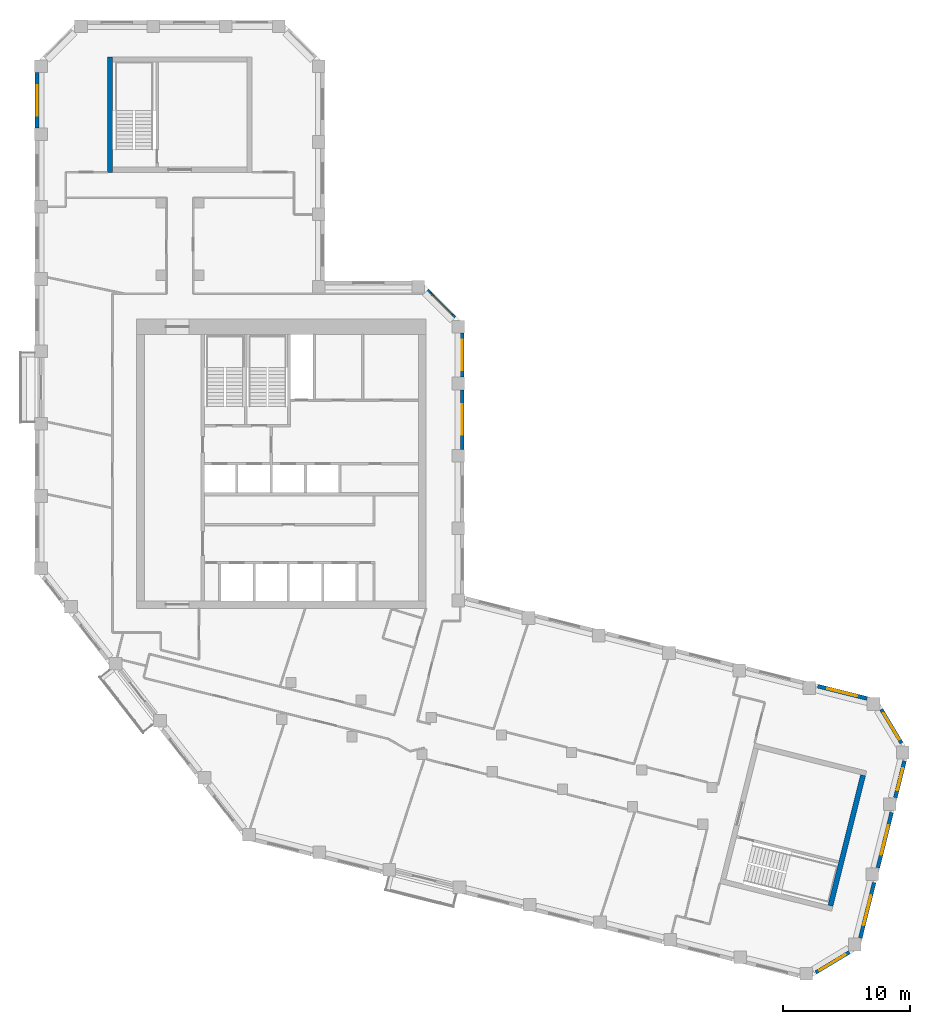
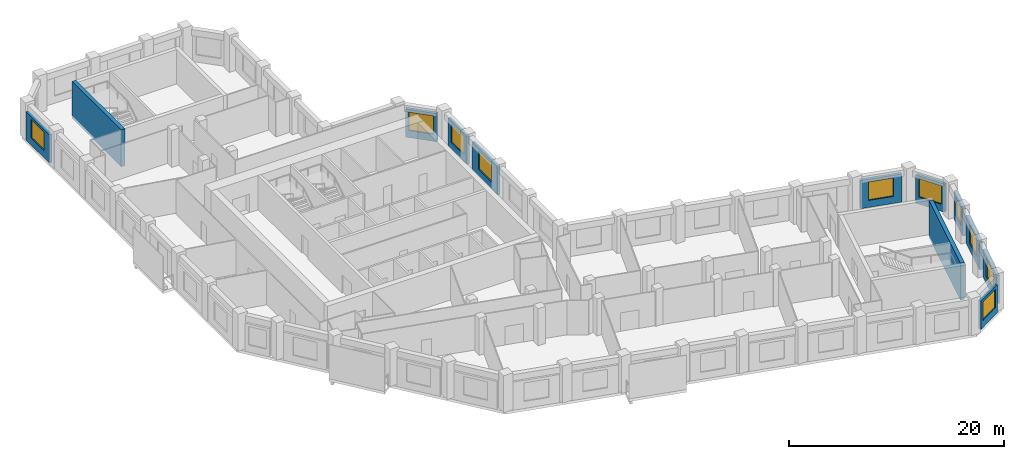
# One storey, part 7 of 9: 12 walls, 10 windows, 10 openings.
"""IFC4 building model written with IfcOpenShell, lengths in metres."""

from ifc_helpers import new_model, si_unit, direction, frame, frame_2d, origin, place, context, subcontext, project, spatial, rectangle, extrude, material, layer, layer_set, type_object, element, fill, save


model = new_model("IFC4")

# Units and contexts
model_context = context("Model", 3, precision=1e-05, world=origin(), true_north=direction((0.0, 1.0)))
body_context = subcontext(model_context, "Body", "Model", "MODEL_VIEW")
ifc_project = project(units=[si_unit("LENGTHUNIT", "METRE"), si_unit("AREAUNIT", "SQUARE_METRE"), si_unit("VOLUMEUNIT", "CUBIC_METRE"), si_unit("PLANEANGLEUNIT", "RADIAN"), si_unit("MASSUNIT", "GRAM", prefix="KILO")], contexts=[model_context])

# Site, building, storey
site_placement = place(None, origin())
site = spatial("IfcSite", under=ifc_project, at=site_placement, CompositionType="ELEMENT")
building_placement = place(site_placement, origin())
building = spatial("IfcBuilding", under=site, at=building_placement, Name="Meshkara Civic Tower", CompositionType="ELEMENT")
storey_placement = place(building_placement, frame((0.0, 0.0, 331.800048828125)))
storey = spatial("IfcBuildingStorey", under=building, at=storey_placement, Name="L76", CompositionType="ELEMENT", Elevation=331.800048828125)

# Wall, opening, window
ifc_material_1 = material(Name="Insulated infill panel with bronze anodised aluminium cladding", Category="aluminium")
ifc_layer_1 = layer(ifc_material_1, 0.300048828125)
ifc_layer_set_1 = layer_set([ifc_layer_1], Name="EXTERNAL INFILL WALL 300")
wall_type_1 = type_object("IfcWallType", Name="EXTERNAL INFILL WALL 300", PredefinedType="SOLIDWALL", material=ifc_layer_set_1)
wall_1_placement = place(storey_placement, frame((65.548095703125, 7.0, 0.0), z_axis=(0.0, 0.0, 1.0), x_axis=(-0.970260773365, 0.242062040951, 0.0)))
wall_1 = element("IfcWall", 1, at=wall_1_placement, inside=storey, type_object=wall_type_1, Name="External wall", PredefinedType="SOLIDWALL", context=body_context, shape_type="SweptSolid", body=[
    extrude(rectangle(XDim=4.003173828125, YDim=0.300048828125, at=frame_2d((2.00146484375, 0.0))), origin(), (0.0, 0.0, 1.0), 3.199951171875),
])
opening_1_placement = place(wall_1_placement, frame((0.801025390625, 0.0, 0.800048828125)))
opening_1 = element("IfcOpeningElement", 2, at=opening_1_placement, cuts=wall_1, Name="Opening W7", PredefinedType="OPENING", context=body_context, shape_type="SweptSolid", body=[
    extrude(rectangle(XDim=2.39990234375, YDim=2.10009765625, at=frame_2d((1.199951171875, 1.050048828125))), frame((0.0, 0.159912109375, 0.0), z_axis=(0.0, -1.0, 0.0), x_axis=(1.0, 0.0, 0.0)), (0.0, 0.0, 1.0), 0.320068359375),
])
ifc_material_2 = material(Name="Tinted double glazing", Category="glass")
window_type_1 = type_object("IfcWindowType", Name="WINDOW 2400x2100", PartitioningType="DOUBLE_PANEL_VERTICAL", PredefinedType="WINDOW", material=ifc_material_2)
window_1_placement = place(opening_1_placement, origin())
window_1 = element("IfcWindow", 3, at=window_1_placement, inside=storey, type_object=window_type_1, Name="Window", OverallHeight=2.10009765625, OverallWidth=2.39990234375, PartitioningType="DOUBLE_PANEL_VERTICAL", PredefinedType="WINDOW", context=body_context, shape_type="SweptSolid", body=[
    extrude(rectangle(XDim=2.39990234375, YDim=2.10009765625, at=frame_2d((1.199951171875, 1.050048828125))), frame((0.0, 0.030029296875, 0.0), z_axis=(0.0, -1.0, 0.0), x_axis=(1.0, 0.0, 0.0)), (0.0, 0.0, 1.0), 0.06005859375),
])
fill(opening_1, window_1)

wall_2_placement = place(storey_placement, frame((33.64990234375, 26.618896484375, 0.0), z_axis=(0.0, 0.0, 1.0), x_axis=(0.0, 1.0, 0.0)))
wall_2 = element("IfcWall", 4, at=wall_2_placement, inside=storey, type_object=wall_type_1, Name="External wall", PredefinedType="SOLIDWALL", context=body_context, shape_type="SweptSolid", body=[
    extrude(rectangle(XDim=4.7001953125, YDim=0.300048828125, at=frame_2d((2.35009765625, 0.0))), origin(), (0.0, 0.0, 1.0), 3.199951171875),
])
opening_2_placement = place(wall_2_placement, frame((1.14990234375, 0.0, 0.800048828125)))
opening_2 = element("IfcOpeningElement", 5, at=opening_2_placement, cuts=wall_2, Name="Opening W7", PredefinedType="OPENING", context=body_context, shape_type="SweptSolid", body=[
    extrude(rectangle(XDim=2.39990234375, YDim=2.10009765625, at=frame_2d((1.199951171875, 1.050048828125))), frame((0.0, 0.159912109375, 0.0), z_axis=(0.0, -1.0, 0.0), x_axis=(1.0, 0.0, 0.0)), (0.0, 0.0, 1.0), 0.320068359375),
])
window_2_placement = place(opening_2_placement, origin())
window_2 = element("IfcWindow", 6, at=window_2_placement, inside=storey, type_object=window_type_1, Name="Window", OverallHeight=2.10009765625, OverallWidth=2.39990234375, PartitioningType="DOUBLE_PANEL_VERTICAL", PredefinedType="WINDOW", context=body_context, shape_type="SweptSolid", body=[
    extrude(rectangle(XDim=2.39990234375, YDim=2.10009765625, at=frame_2d((1.199951171875, 1.050048828125))), frame((0.0, 0.030029296875, 0.0), z_axis=(0.0, -1.0, 0.0), x_axis=(1.0, 0.0, 0.0)), (0.0, 0.0, 1.0), 0.06005859375),
])
fill(opening_2, window_2)

wall_3_placement = place(storey_placement, frame((33.64990234375, 32.319091796875, 0.0), z_axis=(0.0, 0.0, 1.0), x_axis=(0.0, 1.0, 0.0)))
wall_3 = element("IfcWall", 7, at=wall_3_placement, inside=storey, type_object=wall_type_1, Name="External wall", PredefinedType="SOLIDWALL", context=body_context, shape_type="SweptSolid", body=[
    extrude(rectangle(XDim=3.474853515625, YDim=0.300048828125, at=frame_2d((1.7373046875, 0.0))), origin(), (0.0, 0.0, 1.0), 3.199951171875),
])
opening_3_placement = place(wall_3_placement, frame((0.5380859375, 0.0, 0.800048828125)))
opening_3 = element("IfcOpeningElement", 8, at=opening_3_placement, cuts=wall_3, Name="Opening W7", PredefinedType="OPENING", context=body_context, shape_type="SweptSolid", body=[
    extrude(rectangle(XDim=2.39990234375, YDim=2.10009765625, at=frame_2d((1.199951171875, 1.050048828125))), frame((0.0, 0.159912109375, 0.0), z_axis=(0.0, -1.0, 0.0), x_axis=(1.0, 0.0, 0.0)), (0.0, 0.0, 1.0), 0.320068359375),
])
window_3_placement = place(opening_3_placement, origin())
window_3 = element("IfcWindow", 9, at=window_3_placement, inside=storey, type_object=window_type_1, Name="Window", OverallHeight=2.10009765625, OverallWidth=2.39990234375, PartitioningType="DOUBLE_PANEL_VERTICAL", PredefinedType="WINDOW", context=body_context, shape_type="SweptSolid", body=[
    extrude(rectangle(XDim=2.39990234375, YDim=2.10009765625, at=frame_2d((1.199951171875, 1.050048828125))), frame((0.0, 0.030029296875, 0.0), z_axis=(0.0, -1.0, 0.0), x_axis=(1.0, 0.0, 0.0)), (0.0, 0.0, 1.0), 0.06005859375),
])
fill(opening_3, window_3)

wall_4_placement = place(storey_placement, frame((33.06201171875, 37.006103515625, 0.0), z_axis=(0.0, 0.0, 1.0), x_axis=(-0.707106781187, 0.707106781187, 0.0)))
wall_4 = element("IfcWall", 10, at=wall_4_placement, inside=storey, type_object=wall_type_1, Name="External wall", PredefinedType="SOLIDWALL", context=body_context, shape_type="SweptSolid", body=[
    extrude(rectangle(XDim=3.049072265625, YDim=0.300048828125, at=frame_2d((1.5244140625, 0.0))), origin(), (0.0, 0.0, 1.0), 3.199951171875),
])
opening_4_placement = place(wall_4_placement, frame((0.324951171875, 0.0, 0.800048828125)))
opening_4 = element("IfcOpeningElement", 11, at=opening_4_placement, cuts=wall_4, Name="Opening W7", PredefinedType="OPENING", context=body_context, shape_type="SweptSolid", body=[
    extrude(rectangle(XDim=2.39990234375, YDim=2.10009765625, at=frame_2d((1.199951171875, 1.050048828125))), frame((0.0, 0.159912109375, 0.0), z_axis=(0.0, -1.0, 0.0), x_axis=(1.0, 0.0, 0.0)), (0.0, 0.0, 1.0), 0.320068359375),
])
window_4_placement = place(opening_4_placement, origin())
window_4 = element("IfcWindow", 12, at=window_4_placement, inside=storey, type_object=window_type_1, Name="Window", OverallHeight=2.10009765625, OverallWidth=2.39990234375, PartitioningType="DOUBLE_PANEL_VERTICAL", PredefinedType="WINDOW", context=body_context, shape_type="SweptSolid", body=[
    extrude(rectangle(XDim=2.39990234375, YDim=2.10009765625, at=frame_2d((1.199951171875, 1.050048828125))), frame((0.0, 0.030029296875, 0.0), z_axis=(0.0, -1.0, 0.0), x_axis=(1.0, 0.0, 0.0)), (0.0, 0.0, 1.0), 0.06005859375),
])
fill(opening_4, window_4)

wall_5_placement = place(storey_placement, frame((0.14990234375, 56.31396484375, 0.0), z_axis=(0.0, 0.0, 1.0), x_axis=(0.0, -1.0, 0.0)))
wall_5 = element("IfcWall", 13, at=wall_5_placement, inside=storey, type_object=wall_type_1, Name="External wall", PredefinedType="SOLIDWALL", context=body_context, shape_type="SweptSolid", body=[
    extrude(rectangle(XDim=4.35888671875, YDim=0.300048828125, at=frame_2d((2.179443359375, 0.0))), origin(), (0.0, 0.0, 1.0), 3.199951171875),
])
opening_5_placement = place(wall_5_placement, frame((0.97998046875, 0.0, 0.800048828125)))
opening_5 = element("IfcOpeningElement", 14, at=opening_5_placement, cuts=wall_5, Name="Opening W7", PredefinedType="OPENING", context=body_context, shape_type="SweptSolid", body=[
    extrude(rectangle(XDim=2.39990234375, YDim=2.10009765625, at=frame_2d((1.199951171875, 1.050048828125))), frame((0.0, 0.159912109375, 0.0), z_axis=(0.0, -1.0, 0.0), x_axis=(1.0, 0.0, 0.0)), (0.0, 0.0, 1.0), 0.320068359375),
])
window_5_placement = place(opening_5_placement, origin())
window_5 = element("IfcWindow", 15, at=window_5_placement, inside=storey, type_object=window_type_1, Name="Window", OverallHeight=2.10009765625, OverallWidth=2.39990234375, PartitioningType="DOUBLE_PANEL_VERTICAL", PredefinedType="WINDOW", context=body_context, shape_type="SweptSolid", body=[
    extrude(rectangle(XDim=2.39990234375, YDim=2.10009765625, at=frame_2d((1.199951171875, 1.050048828125))), frame((0.0, 0.030029296875, 0.0), z_axis=(0.0, -1.0, 0.0), x_axis=(1.0, 0.0, 0.0)), (0.0, 0.0, 1.0), 0.06005859375),
])
fill(opening_5, window_5)

wall_6_placement = place(storey_placement, frame((61.509033203125, -14.591064453125, 0.0), z_axis=(0.0, 0.0, 1.0), x_axis=(0.856969799001, 0.515366630275, 0.0)))
wall_6 = element("IfcWall", 16, at=wall_6_placement, inside=storey, type_object=wall_type_1, Name="External wall", PredefinedType="SOLIDWALL", context=body_context, shape_type="SweptSolid", body=[
    extrude(rectangle(XDim=3.091064453125, YDim=0.300048828125, at=frame_2d((1.54541015625, 0.0))), origin(), (0.0, 0.0, 1.0), 3.199951171875),
])
opening_6_placement = place(wall_6_placement, frame((0.344970703125, 0.0, 0.800048828125)))
opening_6 = element("IfcOpeningElement", 17, at=opening_6_placement, cuts=wall_6, Name="Opening W7", PredefinedType="OPENING", context=body_context, shape_type="SweptSolid", body=[
    extrude(rectangle(XDim=2.39990234375, YDim=2.10009765625, at=frame_2d((1.199951171875, 1.050048828125))), frame((0.0, 0.159912109375, 0.0), z_axis=(0.0, -1.0, 0.0), x_axis=(1.0, 0.0, 0.0)), (0.0, 0.0, 1.0), 0.320068359375),
])
window_6_placement = place(opening_6_placement, origin())
window_6 = element("IfcWindow", 18, at=window_6_placement, inside=storey, type_object=window_type_1, Name="Window", OverallHeight=2.10009765625, OverallWidth=2.39990234375, PartitioningType="DOUBLE_PANEL_VERTICAL", PredefinedType="WINDOW", context=body_context, shape_type="SweptSolid", body=[
    extrude(rectangle(XDim=2.39990234375, YDim=2.10009765625, at=frame_2d((1.199951171875, 1.050048828125))), frame((0.0, 0.030029296875, 0.0), z_axis=(0.0, -1.0, 0.0), x_axis=(1.0, 0.0, 0.0)), (0.0, 0.0, 1.0), 0.06005859375),
])
fill(opening_6, window_6)

wall_7_placement = place(storey_placement, frame((65.029052734375, -11.8720703125, 0.0), z_axis=(0.0, 0.0, 1.0), x_axis=(0.241946839653, 0.970289506684, 0.0)))
wall_7 = element("IfcWall", 19, at=wall_7_placement, inside=storey, type_object=wall_type_1, Name="External wall", PredefinedType="SOLIDWALL", context=body_context, shape_type="SweptSolid", body=[
    extrude(rectangle(XDim=4.48828125, YDim=0.300048828125, at=frame_2d((2.244140625, 0.0))), origin(), (0.0, 0.0, 1.0), 3.199951171875),
])
opening_7_placement = place(wall_7_placement, frame((1.0439453125, 0.0, 0.800048828125)))
opening_7 = element("IfcOpeningElement", 20, at=opening_7_placement, cuts=wall_7, Name="Opening W7", PredefinedType="OPENING", context=body_context, shape_type="SweptSolid", body=[
    extrude(rectangle(XDim=2.39990234375, YDim=2.10009765625, at=frame_2d((1.199951171875, 1.050048828125))), frame((0.0, 0.159912109375, 0.0), z_axis=(0.0, -1.0, 0.0), x_axis=(1.0, 0.0, 0.0)), (0.0, 0.0, 1.0), 0.320068359375),
])
window_7_placement = place(opening_7_placement, origin())
window_7 = element("IfcWindow", 21, at=window_7_placement, inside=storey, type_object=window_type_1, Name="Window", OverallHeight=2.10009765625, OverallWidth=2.39990234375, PartitioningType="DOUBLE_PANEL_VERTICAL", PredefinedType="WINDOW", context=body_context, shape_type="SweptSolid", body=[
    extrude(rectangle(XDim=2.39990234375, YDim=2.10009765625, at=frame_2d((1.199951171875, 1.050048828125))), frame((0.0, 0.030029296875, 0.0), z_axis=(0.0, -1.0, 0.0), x_axis=(1.0, 0.0, 0.0)), (0.0, 0.0, 1.0), 0.06005859375),
])
fill(opening_7, window_7)

wall_8_placement = place(storey_placement, frame((66.407958984375, -6.341064453125, 0.0), z_axis=(0.0, 0.0, 1.0), x_axis=(0.241997928406, 0.970276766004, 0.0)))
wall_8 = element("IfcWall", 22, at=wall_8_placement, inside=storey, type_object=wall_type_1, Name="External wall", PredefinedType="SOLIDWALL", context=body_context, shape_type="SweptSolid", body=[
    extrude(rectangle(XDim=4.4873046875, YDim=0.300048828125, at=frame_2d((2.24365234375, 0.0))), origin(), (0.0, 0.0, 1.0), 3.199951171875),
])
opening_8_placement = place(wall_8_placement, frame((1.0439453125, 0.0, 0.800048828125)))
opening_8 = element("IfcOpeningElement", 23, at=opening_8_placement, cuts=wall_8, Name="Opening W7", PredefinedType="OPENING", context=body_context, shape_type="SweptSolid", body=[
    extrude(rectangle(XDim=2.39990234375, YDim=2.10009765625, at=frame_2d((1.199951171875, 1.050048828125))), frame((0.0, 0.159912109375, 0.0), z_axis=(0.0, -1.0, 0.0), x_axis=(1.0, 0.0, 0.0)), (0.0, 0.0, 1.0), 0.320068359375),
])
window_8_placement = place(opening_8_placement, origin())
window_8 = element("IfcWindow", 24, at=window_8_placement, inside=storey, type_object=window_type_1, Name="Window", OverallHeight=2.10009765625, OverallWidth=2.39990234375, PartitioningType="DOUBLE_PANEL_VERTICAL", PredefinedType="WINDOW", context=body_context, shape_type="SweptSolid", body=[
    extrude(rectangle(XDim=2.39990234375, YDim=2.10009765625, at=frame_2d((1.199951171875, 1.050048828125))), frame((0.0, 0.030029296875, 0.0), z_axis=(0.0, -1.0, 0.0), x_axis=(1.0, 0.0, 0.0)), (0.0, 0.0, 1.0), 0.06005859375),
])
fill(opening_8, window_8)

wall_9_placement = place(storey_placement, frame((67.787109375, -0.81103515625, 0.0), z_axis=(0.0, 0.0, 1.0), x_axis=(0.242052773757, 0.970263085311, 0.0)))
wall_9 = element("IfcWall", 25, at=wall_9_placement, inside=storey, type_object=wall_type_1, Name="External wall", PredefinedType="SOLIDWALL", context=body_context, shape_type="SweptSolid", body=[
    extrude(rectangle(XDim=2.974365234375, YDim=0.300048828125, at=frame_2d((1.4873046875, 0.0))), origin(), (0.0, 0.0, 1.0), 3.199951171875),
])
opening_9_placement = place(wall_9_placement, frame((0.5869140625, 0.0, 0.800048828125)))
opening_9 = element("IfcOpeningElement", 26, at=opening_9_placement, cuts=wall_9, Name="Opening W9", PredefinedType="OPENING", context=body_context, shape_type="SweptSolid", body=[
    extrude(rectangle(XDim=1.800048828125, YDim=2.10009765625, at=frame_2d((0.89990234375, 1.050048828125))), frame((0.0, 0.159912109375, 0.0), z_axis=(0.0, -1.0, 0.0), x_axis=(1.0, 0.0, 0.0)), (0.0, 0.0, 1.0), 0.320068359375),
])
ifc_material_3 = material(Name="Tinted double glazing", Category="glass")
window_type_2 = type_object("IfcWindowType", Name="WINDOW 1800x2100", PartitioningType="DOUBLE_PANEL_VERTICAL", PredefinedType="WINDOW", material=ifc_material_3)
window_9_placement = place(opening_9_placement, origin())
window_9 = element("IfcWindow", 27, at=window_9_placement, inside=storey, type_object=window_type_2, Name="Window", OverallHeight=2.10009765625, OverallWidth=1.800048828125, PartitioningType="DOUBLE_PANEL_VERTICAL", PredefinedType="WINDOW", context=body_context, shape_type="SweptSolid", body=[
    extrude(rectangle(XDim=1.800048828125, YDim=2.10009765625, at=frame_2d((0.89990234375, 1.050048828125))), frame((0.0, 0.030029296875, 0.0), z_axis=(0.0, -1.0, 0.0), x_axis=(1.0, 0.0, 0.0)), (0.0, 0.0, 1.0), 0.06005859375),
])
fill(opening_9, window_9)

wall_10_placement = place(storey_placement, frame((68.26611328125, 3.47900390625, 0.0), z_axis=(0.0, 0.0, 1.0), x_axis=(-0.514995068029, 0.857193140375, 0.0)))
wall_10 = element("IfcWall", 28, at=wall_10_placement, inside=storey, type_object=wall_type_1, Name="External wall", PredefinedType="SOLIDWALL", context=body_context, shape_type="SweptSolid", body=[
    extrude(rectangle(XDim=3.09130859375, YDim=0.300048828125, at=frame_2d((1.545654296875, 0.0))), origin(), (0.0, 0.0, 1.0), 3.199951171875),
])
opening_10_placement = place(wall_10_placement, frame((0.345947265625, 0.0, 0.800048828125)))
opening_10 = element("IfcOpeningElement", 29, at=opening_10_placement, cuts=wall_10, Name="Opening W7", PredefinedType="OPENING", context=body_context, shape_type="SweptSolid", body=[
    extrude(rectangle(XDim=2.39990234375, YDim=2.10009765625, at=frame_2d((1.199951171875, 1.050048828125))), frame((0.0, 0.159912109375, 0.0), z_axis=(0.0, -1.0, 0.0), x_axis=(1.0, 0.0, 0.0)), (0.0, 0.0, 1.0), 0.320068359375),
])
window_10_placement = place(opening_10_placement, origin())
window_10 = element("IfcWindow", 30, at=window_10_placement, inside=storey, type_object=window_type_1, Name="Window", OverallHeight=2.10009765625, OverallWidth=2.39990234375, PartitioningType="DOUBLE_PANEL_VERTICAL", PredefinedType="WINDOW", context=body_context, shape_type="SweptSolid", body=[
    extrude(rectangle(XDim=2.39990234375, YDim=2.10009765625, at=frame_2d((1.199951171875, 1.050048828125))), frame((0.0, 0.030029296875, 0.0), z_axis=(0.0, -1.0, 0.0), x_axis=(1.0, 0.0, 0.0)), (0.0, 0.0, 1.0), 0.06005859375),
])
fill(opening_10, window_10)

# Walls
ifc_material_4 = material(Name="Concrete C60", Category="concrete")
ifc_layer_2 = layer(ifc_material_4, 0.39990234375)
ifc_layer_set_2 = layer_set([ifc_layer_2], Name="End core ring wall 400 C60")
wall_type_2 = type_object("IfcWallType", Name="End core ring wall 400 C60", PredefinedType="SHEAR", material=ifc_layer_set_2)
wall_11_placement = place(storey_placement, frame((5.89990234375, 48.469970703125, -0.300048828125), z_axis=(0.0, 0.0, 1.0), x_axis=(0.0, 1.0, 0.0)))
element("IfcWall", 31, at=wall_11_placement, inside=storey, type_object=wall_type_2, Name="L76-C027", PredefinedType="SHEAR", context=body_context, shape_type="SweptSolid", body=[
    extrude(rectangle(XDim=9.10009765625, YDim=0.39990234375, at=frame_2d((4.550048828125, 0.0))), origin(), (0.0, 0.0, 1.0), 4.199951171875),
])
wall_12_placement = place(storey_placement, frame((62.672119140625, -9.339111328125, -0.300048828125), z_axis=(0.0, 0.0, 1.0), x_axis=(0.241971982666, 0.970283236795, 0.0)))
element("IfcWall", 32, at=wall_12_placement, inside=storey, type_object=wall_type_2, Name="L76-C035", PredefinedType="SHEAR", context=body_context, shape_type="SweptSolid", body=[
    extrude(rectangle(XDim=10.60009765625, YDim=0.39990234375, at=frame_2d((5.300048828125, 0.0))), origin(), (0.0, 0.0, 1.0), 4.199951171875),
])

save(model, "model.ifc")
